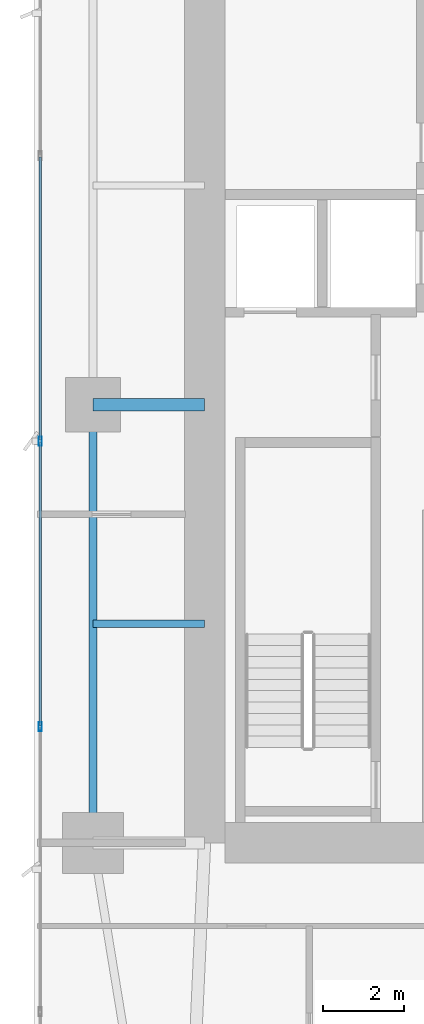
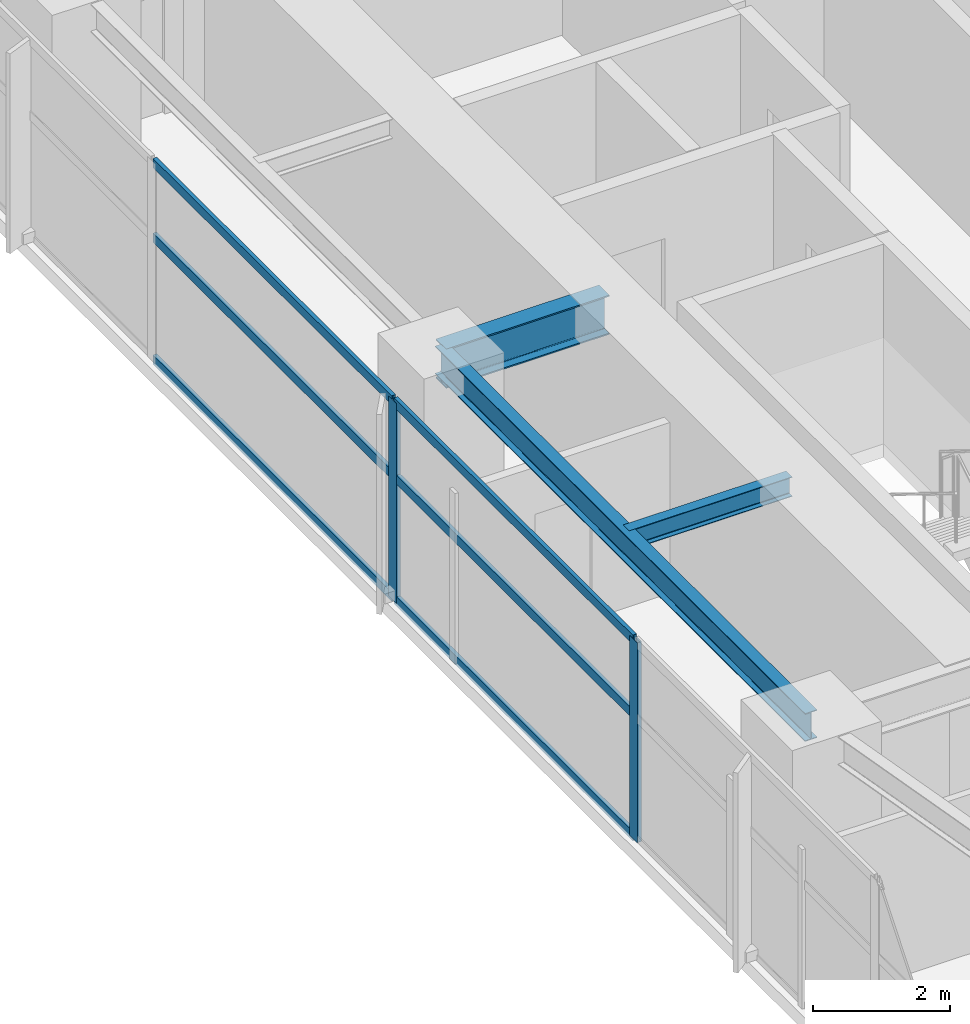
# One storey, part 8 of 29: 8 members, 3 beams, 1 element without a shape of its own.
"""IFC4 building model written with IfcOpenShell, lengths in metres."""

import ifcopenshell
import ifcopenshell.guid

model = None  # the IFC model being written
_history = None  # IfcOwnerHistory: only IFC2X3 demands one
_inside = {}  # id of a spatial element -> (the spatial element, [elements in it])
_under = {}  # id of a project, library or spatial element -> (it, [spatial elements below it])
_declared = {}  # id of a project -> (the project, [libraries it declares])
_typed = {}  # id of a type object -> (the type object, [elements of that type])
_made_of = {}  # id of a material, layer set ... -> (it, [elements and type objects made of it])


def new_model(schema):
    """Start an empty IFC model of exactly this schema.

    Asked for "IFC4X3", IfcOpenShell would pick the latest addendum, in which some entities
    have other attributes; the version numbers below select the first issue.
    IFC2X3 requires an IfcOwnerHistory on every rooted entity: one is made here for all.
    """
    global model, _history
    if schema == "IFC4X3":
        model = ifcopenshell.file(schema_version=(4, 3, 0, 0))
    else:
        model = ifcopenshell.file(schema=schema)
    _inside.clear()
    _under.clear()
    _declared.clear()
    _typed.clear()
    _made_of.clear()
    _history = None
    if model.schema == "IFC2X3":
        org = make("IfcOrganization", Name="unknown")
        user = make(
            "IfcPersonAndOrganization",
            ThePerson=make("IfcPerson", FamilyName="unknown"),
            TheOrganization=org,
        )
        app = make(
            "IfcApplication",
            ApplicationDeveloper=org,
            Version="unknown",
            ApplicationFullName="unknown",
            ApplicationIdentifier="unknown",
        )
        _history = make(
            "IfcOwnerHistory",
            OwningUser=user,
            OwningApplication=app,
            ChangeAction="ADDED",
            CreationDate=0,
        )
    return model


def make(cls, **values):
    """One entity of the class cls with the attributes given. An attribute that is None is left unset."""
    return model.create_entity(
        cls, **{name: value for name, value in values.items() if value is not None}
    )


def rooted(cls, **values):
    """An entity with a GlobalId (a new one), such as an element, a storey or a relation."""
    return make(cls, GlobalId=ifcopenshell.guid.new(), OwnerHistory=_history, **values)


def si_unit(unit_type, name, prefix=None):
    """IfcSIUnit, for example si_unit("LENGTHUNIT", "METRE", prefix="MILLI")."""
    return make("IfcSIUnit", UnitType=unit_type, Prefix=prefix, Name=name)


def assignment(units):
    """IfcUnitAssignment: the units of a project."""
    return None if units is None else make("IfcUnitAssignment", Units=units)


def point(xyz):
    """IfcCartesianPoint."""
    return None if xyz is None else make("IfcCartesianPoint", Coordinates=xyz)


def direction(xyz):
    """IfcDirection."""
    return None if xyz is None else make("IfcDirection", DirectionRatios=xyz)


def frame(location, z_axis=None, x_axis=None):
    """IfcAxis2Placement3D, a coordinate frame: its origin and axes. An axis left out is left unset."""
    return make(
        "IfcAxis2Placement3D",
        Location=point(location),
        Axis=direction(z_axis),
        RefDirection=direction(x_axis),
    )


def frame_2d(location, x_axis=None):
    """IfcAxis2Placement2D, a coordinate frame in the plane: its origin and x axis."""
    return make(
        "IfcAxis2Placement2D", Location=point(location), RefDirection=direction(x_axis)
    )


def origin():
    """The frame at (0, 0, 0) with its axes left unset."""
    return frame((0.0, 0.0, 0.0))


def origin_2d():
    """The frame at (0, 0) in the plane with its x axis left unset."""
    return frame_2d((0.0, 0.0))


def place(relative_to, where):
    """IfcLocalPlacement: puts the frame where relative to a parent placement (None: the world)."""
    return make(
        "IfcLocalPlacement", PlacementRelTo=relative_to, RelativePlacement=where
    )


def context(
    kind, dimensions, precision=None, world=None, true_north=None, identifier=None
):
    """IfcGeometricRepresentationContext, for example the 3D "Model" context."""
    return make(
        "IfcGeometricRepresentationContext",
        ContextIdentifier=identifier,
        ContextType=kind,
        CoordinateSpaceDimension=dimensions,
        Precision=precision,
        WorldCoordinateSystem=world,
        TrueNorth=true_north,
    )


def subcontext(parent, identifier, kind, view, scale=None):
    """IfcGeometricRepresentationSubContext, for example "Body" below "Model"."""
    return make(
        "IfcGeometricRepresentationSubContext",
        ContextIdentifier=identifier,
        ContextType=kind,
        ParentContext=parent,
        TargetScale=scale,
        TargetView=view,
    )


def project(units=None, contexts=None):
    """IfcProject with its units and contexts."""
    return rooted(
        "IfcProject",
        Name="project",
        RepresentationContexts=contexts,
        UnitsInContext=assignment(units),
    )


def spatial(cls, under=None, at=None, **own):
    """A site, building, storey or space (cls), placed at a placement, below another one or the project."""
    s = rooted(cls, ObjectPlacement=at, **own)
    if under is not None:
        _under.setdefault(under.id(), (under, []))[1].append(s)
    return s


def profile(cls, at=None, kind="AREA", **sizes):
    """A parametric profile (cls). Its sizes go by their IFC names, for example OverallWidth=200.0."""
    return make(cls, ProfileType=kind, Position=at, **sizes)


def hollow_rectangle(**sizes):
    """IfcRectangleHollowProfileDef."""
    return profile("IfcRectangleHollowProfileDef", **sizes)


def i_section(**sizes):
    """IfcIShapeProfileDef."""
    return profile("IfcIShapeProfileDef", **sizes)


def extrude(swept, where, along, depth):
    """IfcExtrudedAreaSolid: the profile swept, set in the frame where, extruded along a direction by depth."""
    return make(
        "IfcExtrudedAreaSolid",
        SweptArea=swept,
        Position=where,
        ExtrudedDirection=direction(along),
        Depth=depth,
    )


def shape(context_of_items, identifier, shape_type, items):
    """IfcShapeRepresentation: the items that make up one representation, for example the "Body"."""
    return make(
        "IfcShapeRepresentation",
        ContextOfItems=context_of_items,
        RepresentationIdentifier=identifier,
        RepresentationType=shape_type,
        Items=items,
    )


def material(Name=None, Category=None):
    """IfcMaterial."""
    return make("IfcMaterial", Name=Name, Category=Category)


def layer(
    of_material, thickness, ventilated=None, Name=None, Category=None, Priority=None
):
    """IfcMaterialLayer: one layer of a wall or slab, of a material (None: an air gap)."""
    return make(
        "IfcMaterialLayer",
        Material=of_material,
        LayerThickness=thickness,
        IsVentilated=ventilated,
        Name=Name,
        Category=Category,
        Priority=Priority,
    )


def layer_set(layers, Name=None):
    """IfcMaterialLayerSet."""
    return make("IfcMaterialLayerSet", MaterialLayers=layers, LayerSetName=Name)


def material_profile(
    of_material, cross_section, Name=None, Category=None, Priority=None
):
    """IfcMaterialProfile: a cross section and its material."""
    return make(
        "IfcMaterialProfile",
        Name=Name,
        Material=of_material,
        Profile=cross_section,
        Priority=Priority,
        Category=Category,
    )


def profile_set(profiles, Name=None, composite=None):
    """IfcMaterialProfileSet."""
    return make(
        "IfcMaterialProfileSet",
        Name=Name,
        MaterialProfiles=profiles,
        CompositeProfile=composite,
    )


def made_of(thing, what):
    """Note that an element or type object is made of a material, layer set ...; save() writes the relation."""
    if what is not None:
        _made_of.setdefault(what.id(), (what, []))[1].append(thing)
    return thing


def type_object(cls, material=None, **own):
    """A type object (cls), such as IfcWallType, which elements share."""
    return made_of(rooted(cls, **own), material)


def element(
    cls,
    number,
    at=None,
    inside=None,
    cuts=None,
    type_object=None,
    material=None,
    context=None,
    identifier="Body",
    shape_type=None,
    held_by="IfcProductDefinitionShape",
    body=None,
    shapes=None,
    **own,
):
    """One element of the class cls, such as IfcWall. Its Tag is "e" and its number.

    at: its placement. inside: the storey or other place that contains it. cuts: it is an
    opening in that element (IfcRelVoidsElement). A single representation is given by context,
    identifier, shape_type and body (its items); several are given by shapes. held_by: the class
    of the entity that holds the representations. save() writes the other relations.
    """
    e = rooted(cls, Tag="e%d" % number, ObjectPlacement=at, **own)
    if body is not None:
        shapes = [shape(context, identifier, shape_type, body)]
    if shapes is not None:
        e.Representation = make(held_by, Representations=shapes)
    if inside is not None:
        _inside.setdefault(inside.id(), (inside, []))[1].append(e)
    if cuts is not None:
        rooted(
            "IfcRelVoidsElement", RelatingBuildingElement=cuts, RelatedOpeningElement=e
        )
    if type_object is not None:
        _typed.setdefault(type_object.id(), (type_object, []))[1].append(e)
    return made_of(e, material)


def aggregate(whole, parts):
    """IfcRelAggregates: a whole, such as a stair, and the parts it consists of."""
    return rooted("IfcRelAggregates", RelatingObject=whole, RelatedObjects=parts)


def save(model, path):
    """Write the relations noted so far, then the file.

    IfcRelAggregates (storeys below a building ...), IfcRelContainedInSpatialStructure (elements
    in a storey), IfcRelDefinesByType, IfcRelAssociatesMaterial and IfcRelDeclares: one each for
    every whole, place, type object, material and project.
    """
    for whole, parts in _under.values():
        aggregate(whole, parts)
    for where, things in _inside.values():
        rooted(
            "IfcRelContainedInSpatialStructure",
            RelatedElements=things,
            RelatingStructure=where,
        )
    for kind, things in _typed.values():
        rooted("IfcRelDefinesByType", RelatedObjects=things, RelatingType=kind)
    for what, things in _made_of.values():
        rooted("IfcRelAssociatesMaterial", RelatedObjects=things, RelatingMaterial=what)
    for by, libraries in _declared.values():
        rooted("IfcRelDeclares", RelatingContext=by, RelatedDefinitions=libraries)
    model.write(path)


model = new_model("IFC4")

# Units and contexts
model_context = context("Model", 3, precision=1e-05, world=origin(), true_north=direction((0.0, 1.0)))
body_context = subcontext(model_context, "Body", "Model", "MODEL_VIEW")
ifc_project = project(units=[si_unit("LENGTHUNIT", "METRE"), si_unit("AREAUNIT", "SQUARE_METRE"), si_unit("VOLUMEUNIT", "CUBIC_METRE"), si_unit("PLANEANGLEUNIT", "RADIAN"), si_unit("MASSUNIT", "GRAM", prefix="KILO")], contexts=[model_context])

# Site, building, storey
site_placement = place(None, origin())
site = spatial("IfcSite", under=ifc_project, at=site_placement, CompositionType="ELEMENT")
building_placement = place(site_placement, origin())
building = spatial("IfcBuilding", under=site, at=building_placement, Name="Calvorn Quay Hotel", CompositionType="ELEMENT")
storey_placement = place(building_placement, frame((0.0, 0.0, 34.60009765625)))
storey = spatial("IfcBuildingStorey", under=building, at=storey_placement, Name="L07", CompositionType="ELEMENT", Elevation=34.60009765625)

# Beams
ifc_material_1 = material(Name="Steel Q390GJC", Category="steel")
ifc_material_profile_1 = material_profile(ifc_material_1, i_section(OverallWidth=0.300048828125, OverallDepth=0.699951171875, WebThickness=0.012939453125, FlangeThickness=0.02392578125, FilletRadius=0.02392578125, at=origin_2d()), Name="HN700x300x13x24")
ifc_profile_set_1 = profile_set([ifc_material_profile_1], Name="Steel Q390GJC")
beam_type_1 = type_object("IfcBeamType", Name="BM-GIRD-MAIN", PredefinedType="BEAM", material=ifc_profile_set_1)
beam_1_placement = place(storey_placement, frame((1.449951171875, 27.60009765625, 3.18994140625), z_axis=(1.0, 0.0, 0.0), x_axis=(0.0, 1.0, 0.0)))
element("IfcBeam", 1, at=beam_1_placement, inside=storey, type_object=beam_type_1, Name="Beam BG-L07-W2", PredefinedType="BEAM", context=body_context, shape_type="SweptSolid", body=[
    extrude(i_section(OverallWidth=0.300048828125, OverallDepth=0.699951171875, WebThickness=0.012939453125, FlangeThickness=0.02392578125, FilletRadius=0.02392578125, at=origin_2d()), origin(), (0.0, 0.0, 1.0), 2.75),
])
ifc_material_2 = material(Name="Steel Q355B", Category="steel")
ifc_material_profile_2 = material_profile(ifc_material_2, i_section(OverallWidth=0.175048828125, OverallDepth=0.35009765625, WebThickness=0.007080078125, FlangeThickness=0.010986328125, FilletRadius=0.013916015625, at=origin_2d()), Name="HN350x175x7x11")
ifc_profile_set_2 = profile_set([ifc_material_profile_2], Name="Steel Q355B")
beam_type_2 = type_object("IfcBeamType", Name="BM-JOIST-SEC", PredefinedType="JOIST", material=ifc_profile_set_2)
beam_2_placement = place(storey_placement, frame((1.449951171875, 22.199951171875, 3.364990234375), z_axis=(1.0, 0.0, 0.0), x_axis=(0.0, 1.0, 0.0)))
element("IfcBeam", 2, at=beam_2_placement, inside=storey, type_object=beam_type_2, Name="Beam BJ-L07-W3", PredefinedType="JOIST", context=body_context, shape_type="SweptSolid", body=[
    extrude(i_section(OverallWidth=0.175048828125, OverallDepth=0.35009765625, WebThickness=0.007080078125, FlangeThickness=0.010986328125, FilletRadius=0.013916015625, at=origin_2d()), origin(), (0.0, 0.0, 1.0), 2.75),
])
ifc_material_3 = material(Name="Steel Q355B", Category="steel")
ifc_material_profile_3 = material_profile(ifc_material_3, i_section(OverallWidth=0.199951171875, OverallDepth=0.5, WebThickness=0.010009765625, FlangeThickness=0.01611328125, FilletRadius=0.01611328125, at=origin_2d()), Name="HN500x200x10x16")
ifc_profile_set_3 = profile_set([ifc_material_profile_3], Name="Steel Q355B")
beam_type_3 = type_object("IfcBeamType", Name="BM-SPANDREL-Z1", PredefinedType="SPANDREL", material=ifc_profile_set_3)
beam_3_placement = place(storey_placement, frame((1.449951171875, 16.800048828125, 3.289794921875), z_axis=(0.0, 1.0, 0.0), x_axis=(-1.0, 0.0, 0.0)))
element("IfcBeam", 3, at=beam_3_placement, inside=storey, type_object=beam_type_3, Name="Beam BSP-L07-W2", PredefinedType="SPANDREL", context=body_context, shape_type="SweptSolid", body=[
    extrude(i_section(OverallWidth=0.199951171875, OverallDepth=0.5, WebThickness=0.010009765625, FlangeThickness=0.01611328125, FilletRadius=0.01611328125, at=origin_2d()), origin(), (0.0, 0.0, 1.0), 10.800048828125),
])

# Curtain wall, members
ifc_material_4 = material(Name="Pale Anodised Aluminium and Low-E Glass", Category="aluminium")
ifc_layer = layer(ifc_material_4, 0.219970703125)
ifc_layer_set = layer_set([ifc_layer], Name="CW-SYS-Z1")
curtain_wall_type = type_object("IfcCurtainWallType", Name="CW-SYS-Z1", PredefinedType="NOTDEFINED", material=ifc_layer_set)
curtain_wall_placement = place(storey_placement, origin())
curtain_wall = element("IfcCurtainWall", 4, at=curtain_wall_placement, inside=storey, type_object=curtain_wall_type, Name="Tower West Curtain Wall (L07)", PredefinedType="NOTDEFINED")
ifc_material_5 = material(Name="Pale Anodised Aluminium 6063-T6", Category="aluminium")
ifc_material_profile_4 = material_profile(ifc_material_5, hollow_rectangle(XDim=0.074951171875, YDim=0.219970703125, WallThickness=0.00439453125, at=origin_2d()), Name="ALU-M220x75x4.5")
ifc_profile_set_4 = profile_set([ifc_material_profile_4], Name="Pale Anodised Aluminium 6063-T6")
member_type_1 = type_object("IfcMemberType", Name="CW-SYS-Z1-MUL", PredefinedType="MULLION", material=ifc_profile_set_4)
member_1_placement = place(storey_placement, frame((0.14990234375, 19.666748046875, 0.0), z_axis=(0.0, 0.0, 1.0), x_axis=(-1.0, 0.0, 0.0)))
member_1 = element("IfcMember", 5, at=member_1_placement, type_object=member_type_1, Name="CW-L07-W mullion 3", PredefinedType="MULLION", context=body_context, shape_type="SweptSolid", body=[
    extrude(hollow_rectangle(XDim=0.074951171875, YDim=0.219970703125, WallThickness=0.00439453125, at=origin_2d()), origin(), (0.0, 0.0, 1.0), 3.559814453125),
])
member_2_placement = place(storey_placement, frame((0.14990234375, 26.699951171875, 0.0), z_axis=(0.0, 0.0, 1.0), x_axis=(-1.0, 0.0, 0.0)))
member_2 = element("IfcMember", 6, at=member_2_placement, type_object=member_type_1, Name="CW-L07-W mullion 4", PredefinedType="MULLION", context=body_context, shape_type="SweptSolid", body=[
    extrude(hollow_rectangle(XDim=0.074951171875, YDim=0.219970703125, WallThickness=0.00439453125, at=origin_2d()), origin(), (0.0, 0.0, 1.0), 3.559814453125),
])
ifc_material_6 = material(Name="Pale Anodised Aluminium 6063-T6", Category="aluminium")
ifc_material_profile_5 = material_profile(ifc_material_6, hollow_rectangle(XDim=0.06494140625, YDim=0.1650390625, WallThickness=0.00341796875, at=origin_2d()), Name="ALU-T165x65x3.5")
ifc_profile_set_5 = profile_set([ifc_material_profile_5], Name="Pale Anodised Aluminium 6063-T6")
member_type_2 = type_object("IfcMemberType", Name="CW-SYS-Z1-TRN", PredefinedType="USERDEFINED", material=ifc_profile_set_5)
member_3_placement = place(storey_placement, frame((0.14990234375, 19.69677734375, 0.02978515625), z_axis=(0.0, 1.0, 0.0), x_axis=(-1.0, 0.0, 0.0)))
member_3 = element("IfcMember", 7, at=member_3_placement, type_object=member_type_2, Name="CW-L07-W transom 3.1", ObjectType="TRANSOM", PredefinedType="USERDEFINED", context=body_context, shape_type="SweptSolid", body=[
    extrude(hollow_rectangle(XDim=0.06494140625, YDim=0.1650390625, WallThickness=0.00341796875, at=origin_2d()), origin(), (0.0, 0.0, 1.0), 6.97314453125),
])
member_4_placement = place(storey_placement, frame((0.14990234375, 19.69677734375, 2.199951171875), z_axis=(0.0, 1.0, 0.0), x_axis=(-1.0, 0.0, 0.0)))
member_4 = element("IfcMember", 8, at=member_4_placement, type_object=member_type_2, Name="CW-L07-W transom 3.2", ObjectType="TRANSOM", PredefinedType="USERDEFINED", context=body_context, shape_type="SweptSolid", body=[
    extrude(hollow_rectangle(XDim=0.06494140625, YDim=0.1650390625, WallThickness=0.00341796875, at=origin_2d()), origin(), (0.0, 0.0, 1.0), 6.97314453125),
])
member_5_placement = place(storey_placement, frame((0.14990234375, 19.69677734375, 3.52978515625), z_axis=(0.0, 1.0, 0.0), x_axis=(-1.0, 0.0, 0.0)))
member_5 = element("IfcMember", 9, at=member_5_placement, type_object=member_type_2, Name="CW-L07-W transom 3.3", ObjectType="TRANSOM", PredefinedType="USERDEFINED", context=body_context, shape_type="SweptSolid", body=[
    extrude(hollow_rectangle(XDim=0.06494140625, YDim=0.1650390625, WallThickness=0.00341796875, at=origin_2d()), origin(), (0.0, 0.0, 1.0), 6.97314453125),
])
member_6_placement = place(storey_placement, frame((0.14990234375, 26.72998046875, 0.02978515625), z_axis=(0.0, 1.0, 0.0), x_axis=(-1.0, 0.0, 0.0)))
member_6 = element("IfcMember", 10, at=member_6_placement, type_object=member_type_2, Name="CW-L07-W transom 4.1", ObjectType="TRANSOM", PredefinedType="USERDEFINED", context=body_context, shape_type="SweptSolid", body=[
    extrude(hollow_rectangle(XDim=0.06494140625, YDim=0.1650390625, WallThickness=0.00341796875, at=origin_2d()), origin(), (0.0, 0.0, 1.0), 6.973388671875),
])
member_7_placement = place(storey_placement, frame((0.14990234375, 26.72998046875, 2.199951171875), z_axis=(0.0, 1.0, 0.0), x_axis=(-1.0, 0.0, 0.0)))
member_7 = element("IfcMember", 11, at=member_7_placement, type_object=member_type_2, Name="CW-L07-W transom 4.2", ObjectType="TRANSOM", PredefinedType="USERDEFINED", context=body_context, shape_type="SweptSolid", body=[
    extrude(hollow_rectangle(XDim=0.06494140625, YDim=0.1650390625, WallThickness=0.00341796875, at=origin_2d()), origin(), (0.0, 0.0, 1.0), 6.973388671875),
])
member_8_placement = place(storey_placement, frame((0.14990234375, 26.72998046875, 3.52978515625), z_axis=(0.0, 1.0, 0.0), x_axis=(-1.0, 0.0, 0.0)))
member_8 = element("IfcMember", 12, at=member_8_placement, type_object=member_type_2, Name="CW-L07-W transom 4.3", ObjectType="TRANSOM", PredefinedType="USERDEFINED", context=body_context, shape_type="SweptSolid", body=[
    extrude(hollow_rectangle(XDim=0.06494140625, YDim=0.1650390625, WallThickness=0.00341796875, at=origin_2d()), origin(), (0.0, 0.0, 1.0), 6.973388671875),
])
aggregate(curtain_wall, [member_1, member_2, member_3, member_4, member_5, member_6, member_7, member_8])

save(model, "model.ifc")
